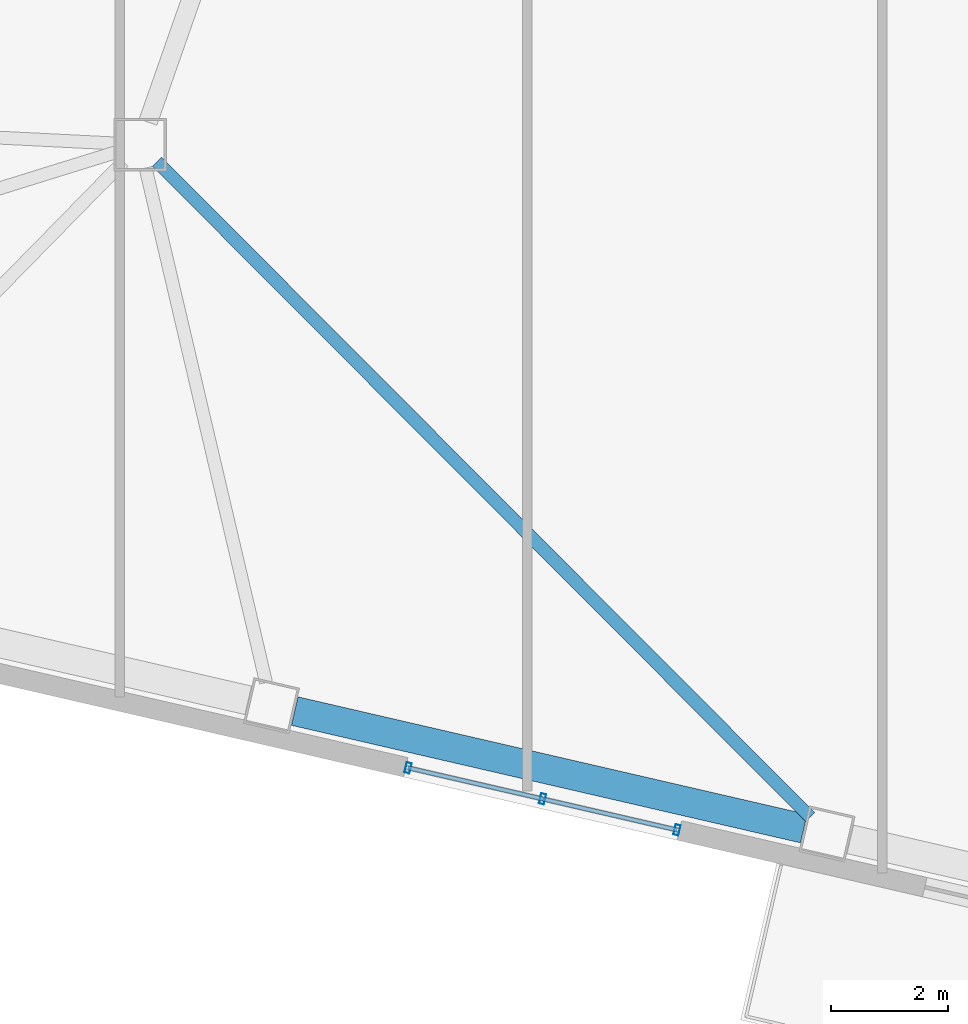
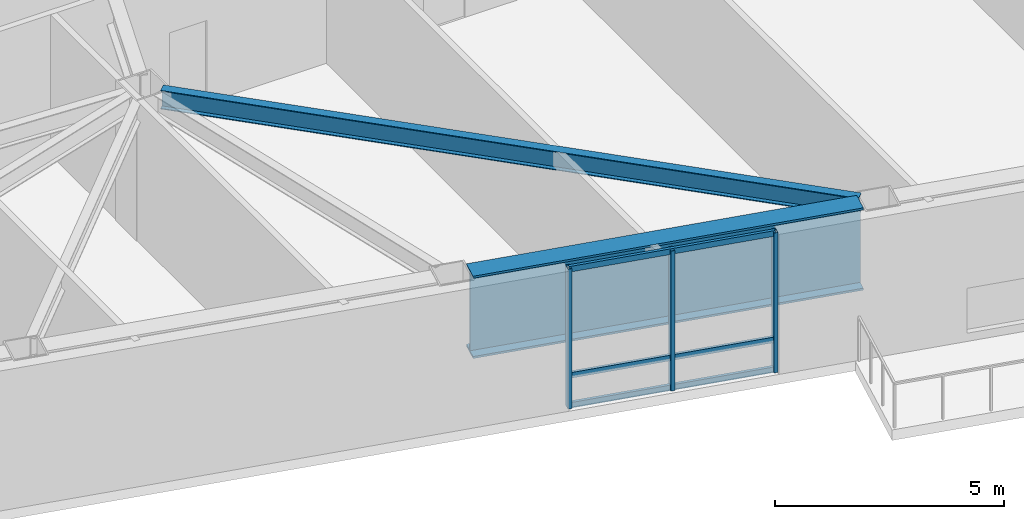
# One storey, part 2 of 21: 6 members, 2 beams, 1 element without a shape of its own.
"""IFC4 building model written with IfcOpenShell, lengths in metres."""

from ifc_helpers import new_model, si_unit, direction, frame, origin, origin_2d, place, context, subcontext, project, spatial, hollow_rectangle, i_section, extrude, material, layer, layer_set, material_profile, profile_set, type_object, element, aggregate, save


model = new_model("IFC4")

# Units and contexts
model_context = context("Model", 3, precision=1e-05, world=origin(), true_north=direction((0.0, 1.0)))
body_context = subcontext(model_context, "Body", "Model", "MODEL_VIEW")
ifc_project = project(units=[si_unit("LENGTHUNIT", "METRE"), si_unit("AREAUNIT", "SQUARE_METRE"), si_unit("VOLUMEUNIT", "CUBIC_METRE"), si_unit("PLANEANGLEUNIT", "RADIAN"), si_unit("MASSUNIT", "GRAM", prefix="KILO")], contexts=[model_context])

# Site, building, storey
site_placement = place(None, origin())
site = spatial("IfcSite", under=ifc_project, at=site_placement, CompositionType="ELEMENT")
building_placement = place(site_placement, origin())
building = spatial("IfcBuilding", under=site, at=building_placement, Name="Tavrogorsk Clinical Tower", CompositionType="ELEMENT")
storey_placement = place(building_placement, frame((0.0, 0.0, 59.39990234375)))
storey = spatial("IfcBuildingStorey", under=building, at=storey_placement, Name="L12", CompositionType="ELEMENT", Elevation=59.39990234375)

# Curtain wall, members
ifc_material_1 = material(Name="Anodised aluminium and triple IGU glazing", Category="aluminium")
ifc_layer = layer(ifc_material_1, 0.179931640625)
ifc_layer_set = layer_set([ifc_layer], Name="Anodised aluminium and triple IGU glazing")
curtain_wall_type = type_object("IfcCurtainWallType", Name="CW3_SouthSlot", PredefinedType="NOTDEFINED", material=ifc_layer_set)
curtain_wall_placement = place(storey_placement, origin())
curtain_wall = element("IfcCurtainWall", 1, at=curtain_wall_placement, inside=storey, type_object=curtain_wall_type, Name="L12 Curtain Wall CW-L12-S-SLOT-1", PredefinedType="NOTDEFINED")
ifc_material_2 = material(Name="Anodised aluminium alloy AW-6060", Category="aluminium")
ifc_material_profile_1 = material_profile(ifc_material_2, hollow_rectangle(XDim=0.090087890625, YDim=0.179931640625, WallThickness=0.00634765625, at=origin_2d()), Name="RHS-180x90x6.3")
ifc_profile_set_1 = profile_set([ifc_material_profile_1], Name="Anodised aluminium alloy AW-6060")
member_type_1 = type_object("IfcMemberType", Name="CwMullion_180x90", PredefinedType="MULLION", material=ifc_profile_set_1)
member_1_placement = place(storey_placement, frame((-19.917724609375, -23.8544921875, 0.0), z_axis=(0.0, 0.0, 1.0), x_axis=(0.974370046851, -0.224951132027, 0.0)))
member_1 = element("IfcMember", 2, at=member_1_placement, type_object=member_type_1, Name="CW-L12-S-SLOT-1 Mullion 1", PredefinedType="MULLION", context=body_context, shape_type="SweptSolid", body=[
    extrude(hollow_rectangle(XDim=0.090087890625, YDim=0.179931640625, WallThickness=0.00634765625, at=origin_2d()), origin(), (0.0, 0.0, 1.0), 3.739990234375),
])
member_2_placement = place(storey_placement, frame((-17.619384765625, -24.38525390625, 0.0), z_axis=(0.0, 0.0, 1.0), x_axis=(0.974370046851, -0.224951132027, 0.0)))
member_2 = element("IfcMember", 3, at=member_2_placement, type_object=member_type_1, Name="CW-L12-S-SLOT-1 Mullion 2", PredefinedType="MULLION", context=body_context, shape_type="SweptSolid", body=[
    extrude(hollow_rectangle(XDim=0.090087890625, YDim=0.179931640625, WallThickness=0.00634765625, at=origin_2d()), origin(), (0.0, 0.0, 1.0), 3.739990234375),
])
member_3_placement = place(storey_placement, frame((-15.32080078125, -24.916015625, 0.0), z_axis=(0.0, 0.0, 1.0), x_axis=(0.974370046851, -0.224951132027, 0.0)))
member_3 = element("IfcMember", 4, at=member_3_placement, type_object=member_type_1, Name="CW-L12-S-SLOT-1 Mullion 3", PredefinedType="MULLION", context=body_context, shape_type="SweptSolid", body=[
    extrude(hollow_rectangle(XDim=0.090087890625, YDim=0.179931640625, WallThickness=0.00634765625, at=origin_2d()), origin(), (0.0, 0.0, 1.0), 3.739990234375),
])
ifc_material_3 = material(Name="Anodised aluminium alloy AW-6060", Category="aluminium")
ifc_material_profile_2 = material_profile(ifc_material_3, hollow_rectangle(XDim=0.074951171875, YDim=0.14990234375, WallThickness=0.0048828125, at=origin_2d()), Name="RHS-150x75x5")
ifc_profile_set_2 = profile_set([ifc_material_profile_2], Name="Anodised aluminium alloy AW-6060")
member_type_2 = type_object("IfcMemberType", Name="CwTransom_150x75", PredefinedType="USERDEFINED", material=ifc_profile_set_2)
member_4_placement = place(storey_placement, frame((-19.917724609375, -23.8544921875, 0.050048828125), z_axis=(0.974358915979, -0.224999339672, 0.0), x_axis=(0.224999339672, 0.974358915979, 0.0)))
member_4 = element("IfcMember", 5, at=member_4_placement, type_object=member_type_2, Name="CW-L12-S-SLOT-1 Transom 1", ObjectType="TRANSOM", PredefinedType="USERDEFINED", context=body_context, shape_type="SweptSolid", body=[
    extrude(hollow_rectangle(XDim=0.074951171875, YDim=0.14990234375, WallThickness=0.0048828125, at=origin_2d()), origin(), (0.0, 0.0, 1.0), 4.718017578125),
])
member_5_placement = place(storey_placement, frame((-19.917724609375, -23.8544921875, 0.85009765625), z_axis=(0.974358915979, -0.224999339672, 0.0), x_axis=(0.224999339672, 0.974358915979, 0.0)))
member_5 = element("IfcMember", 6, at=member_5_placement, type_object=member_type_2, Name="CW-L12-S-SLOT-1 Transom 2", ObjectType="TRANSOM", PredefinedType="USERDEFINED", context=body_context, shape_type="SweptSolid", body=[
    extrude(hollow_rectangle(XDim=0.074951171875, YDim=0.14990234375, WallThickness=0.0048828125, at=origin_2d()), origin(), (0.0, 0.0, 1.0), 4.718017578125),
])
member_6_placement = place(storey_placement, frame((-19.917724609375, -23.8544921875, 3.690185546875), z_axis=(0.974358915979, -0.224999339672, 0.0), x_axis=(0.224999339672, 0.974358915979, 0.0)))
member_6 = element("IfcMember", 7, at=member_6_placement, type_object=member_type_2, Name="CW-L12-S-SLOT-1 Transom 3", ObjectType="TRANSOM", PredefinedType="USERDEFINED", context=body_context, shape_type="SweptSolid", body=[
    extrude(hollow_rectangle(XDim=0.074951171875, YDim=0.14990234375, WallThickness=0.0048828125, at=origin_2d()), origin(), (0.0, 0.0, 1.0), 4.718017578125),
])
aggregate(curtain_wall, [member_1, member_2, member_3, member_4, member_5, member_6])

# Beams
ifc_material_4 = material(Name="Structural steel S355", Category="steel")
ifc_material_profile_3 = material_profile(ifc_material_4, i_section(OverallWidth=0.219970703125, OverallDepth=0.5, WebThickness=0.012939453125, FlangeThickness=0.02001953125, at=origin_2d()), Name="B-500x220x13x20")
ifc_profile_set_3 = profile_set([ifc_material_profile_3], Name="Structural steel S355")
beam_type_1 = type_object("IfcBeamType", Name="FloorBeam_B500", PredefinedType="BEAM", material=ifc_profile_set_3)
beam_1_placement = place(storey_placement, frame((-24.210693359375, -13.490478515625, 3.489990234375), z_axis=(0.705909757155, -0.70830178226, 0.0), x_axis=(0.70830178226, 0.705909757155, 0.0)))
element("IfcBeam", 8, at=beam_1_placement, inside=storey, type_object=beam_type_1, Name="L12 Radial Floor Beam S4", PredefinedType="BEAM", context=body_context, shape_type="SweptSolid", body=[
    extrude(i_section(OverallWidth=0.219970703125, OverallDepth=0.5, WebThickness=0.012939453125, FlangeThickness=0.02001953125, at=origin_2d()), origin(), (0.0, 0.0, 1.0), 15.820068359375),
])
ifc_material_5 = material(Name="Structural steel S440", Category="steel")
ifc_material_profile_4 = material_profile(ifc_material_5, i_section(OverallWidth=0.5, OverallDepth=2.199951171875, WebThickness=0.035888671875, FlangeThickness=0.054931640625, at=origin_2d()), Name="DK-2200x500x36x55")
ifc_profile_set_4 = profile_set([ifc_material_profile_4], Name="Structural steel S440")
beam_type_2 = type_object("IfcBeamType", Name="TransferGirder_DK2200", PredefinedType="USERDEFINED", material=ifc_profile_set_4)
beam_2_placement = place(storey_placement, frame((-21.8564453125, -22.8837890625, 2.64013671875), z_axis=(0.974372766602, -0.224939351168, 0.0), x_axis=(0.224939351168, 0.974372766602, 0.0)))
element("IfcBeam", 9, at=beam_2_placement, inside=storey, type_object=beam_type_2, Name="L12 Perimeter Spandrel S3-S4", ObjectType="GIRDER", PredefinedType="USERDEFINED", context=body_context, shape_type="SweptSolid", body=[
    extrude(i_section(OverallWidth=0.5, OverallDepth=2.199951171875, WebThickness=0.035888671875, FlangeThickness=0.054931640625, at=origin_2d()), origin(), (0.0, 0.0, 1.0), 8.9326171875),
])

save(model, "model.ifc")
